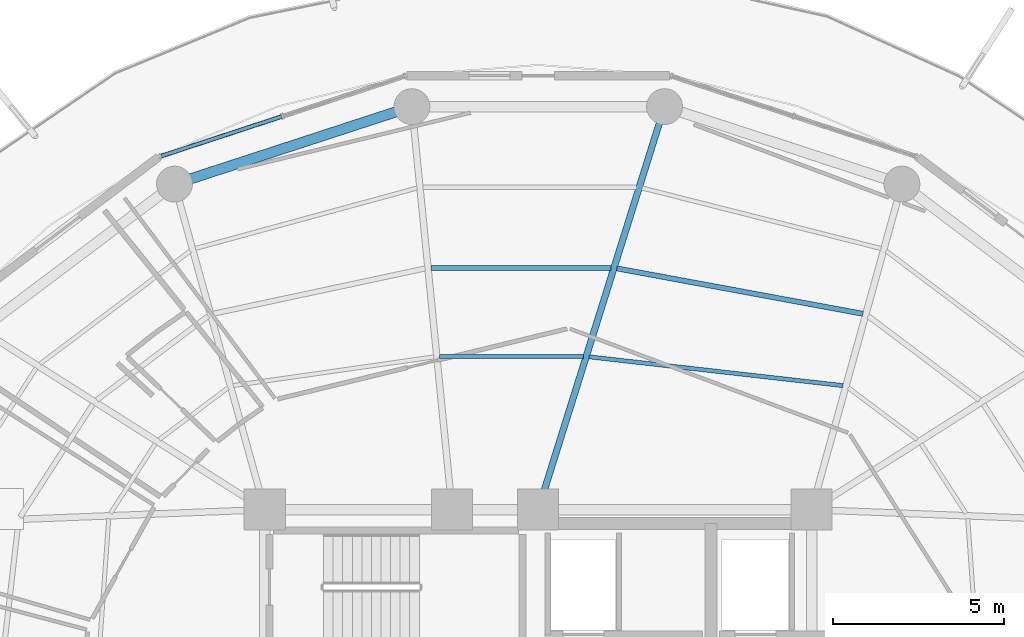
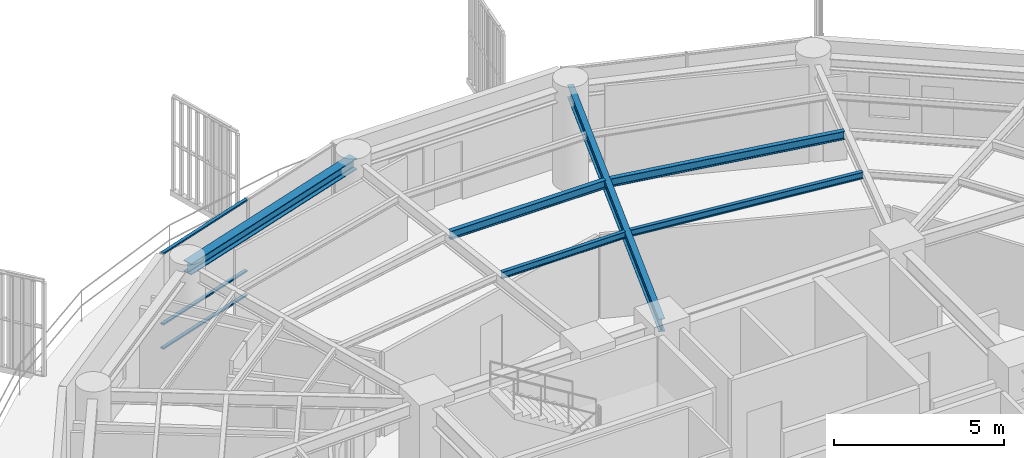
# One storey, part 18 of 30: 6 beams, 3 members, 1 element without a shape of its own.
"""IFC4 building model written with IfcOpenShell, lengths in metres."""

from ifc_helpers import new_model, si_unit, direction, frame, origin, origin_2d, place, context, subcontext, project, spatial, hollow_rectangle, i_section, extrude, material, layer, layer_set, material_profile, profile_set, type_object, element, aggregate, save


model = new_model("IFC4")

# Units and contexts
model_context = context("Model", 3, precision=1e-05, world=origin(), true_north=direction((0.0, 1.0)))
body_context = subcontext(model_context, "Body", "Model", "MODEL_VIEW")
ifc_project = project(units=[si_unit("LENGTHUNIT", "METRE"), si_unit("AREAUNIT", "SQUARE_METRE"), si_unit("VOLUMEUNIT", "CUBIC_METRE"), si_unit("PLANEANGLEUNIT", "RADIAN"), si_unit("MASSUNIT", "GRAM", prefix="KILO")], contexts=[model_context])

# Site, building, storey
site_placement = place(None, origin())
site = spatial("IfcSite", under=ifc_project, at=site_placement, CompositionType="ELEMENT")
building_placement = place(site_placement, origin())
building = spatial("IfcBuilding", under=site, at=building_placement, Name="Kelanora Arch Commons", CompositionType="ELEMENT")
storey_placement = place(building_placement, frame((0.0, 0.0, 208.199951171875)))
storey = spatial("IfcBuildingStorey", under=building, at=storey_placement, Name="L53", CompositionType="ELEMENT", Elevation=208.199951171875)

# Beams
ifc_material_1 = material(Name="Steel S355", Category="steel")
ifc_material_profile_1 = material_profile(ifc_material_1, i_section(OverallWidth=0.14990234375, OverallDepth=0.300048828125, WebThickness=0.007080078125, FlangeThickness=0.0107421875, FilletRadius=0.014892578125, at=origin_2d()), Name="IPE300")
ifc_profile_set_1 = profile_set([ifc_material_profile_1], Name="Steel S355")
beam_type_1 = type_object("IfcBeamType", Name="BM-JST-01", PredefinedType="JOIST", material=ifc_profile_set_1)
beam_1_placement = place(storey_placement, frame((83.50048828125, 70.729736328125, 3.340087890625), z_axis=(-0.983389964671, 0.181505309519, 0.0), x_axis=(-0.181505309519, -0.983389964671, 0.0)))
element("IfcBeam", 1, at=beam_1_placement, inside=storey, type_object=beam_type_1, Name="Secondary Chord Joist BJB-06 L53", PredefinedType="JOIST", context=body_context, shape_type="SweptSolid", body=[
    extrude(i_section(OverallWidth=0.14990234375, OverallDepth=0.300048828125, WebThickness=0.007080078125, FlangeThickness=0.0107421875, FilletRadius=0.014892578125, at=origin_2d()), origin(), (0.0, 0.0, 1.0), 7.3212890625),
])
beam_2_placement = place(storey_placement, frame((76.132080078125, 72.07421875, 3.340087890625), z_axis=(-1.0, 0.0, 0.0), x_axis=(0.0, -1.0, 0.0)))
element("IfcBeam", 2, at=beam_2_placement, inside=storey, type_object=beam_type_1, Name="Secondary Chord Joist BJB-08 L53", PredefinedType="JOIST", context=body_context, shape_type="SweptSolid", body=[
    extrude(i_section(OverallWidth=0.14990234375, OverallDepth=0.300048828125, WebThickness=0.007080078125, FlangeThickness=0.0107421875, FilletRadius=0.014892578125, at=origin_2d()), origin(), (0.0, 0.0, 1.0), 5.272216796875),
])
ifc_material_profile_2 = material_profile(ifc_material_1, i_section(OverallWidth=0.1201171875, OverallDepth=0.239990234375, WebThickness=0.006103515625, FlangeThickness=0.009765625, FilletRadius=0.014892578125, at=origin_2d()), Name="IPE240")
ifc_profile_set_2 = profile_set([ifc_material_profile_2], Name="Steel S355")
beam_type_2 = type_object("IfcBeamType", Name="BM-JST-02", PredefinedType="JOIST", material=ifc_profile_set_2)
beam_3_placement = place(storey_placement, frame((82.918701171875, 68.628662109375, 3.3701171875), z_axis=(-0.993639672263, 0.11260640171, 0.0), x_axis=(-0.11260640171, -0.993639672263, 0.0)))
element("IfcBeam", 3, at=beam_3_placement, inside=storey, type_object=beam_type_2, Name="Secondary Chord Joist BJA-06 L53", PredefinedType="JOIST", context=body_context, shape_type="SweptSolid", body=[
    extrude(i_section(OverallWidth=0.1201171875, OverallDepth=0.239990234375, WebThickness=0.006103515625, FlangeThickness=0.009765625, FilletRadius=0.014892578125, at=origin_2d()), origin(), (0.0, 0.0, 1.0), 7.477783203125),
])
beam_4_placement = place(storey_placement, frame((75.319091796875, 69.480224609375, 3.3701171875), z_axis=(-1.0, 0.0, 0.0), x_axis=(0.0, -1.0, 0.0)))
element("IfcBeam", 4, at=beam_4_placement, inside=storey, type_object=beam_type_2, Name="Secondary Chord Joist BJA-08 L53", PredefinedType="JOIST", context=body_context, shape_type="SweptSolid", body=[
    extrude(i_section(OverallWidth=0.1201171875, OverallDepth=0.239990234375, WebThickness=0.006103515625, FlangeThickness=0.009765625, FilletRadius=0.014892578125, at=origin_2d()), origin(), (0.0, 0.0, 1.0), 4.20068359375),
])
ifc_material_profile_3 = material_profile(ifc_material_1, i_section(OverallWidth=0.18994140625, OverallDepth=0.449951171875, WebThickness=0.009521484375, FlangeThickness=0.0146484375, FilletRadius=0.02099609375, at=origin_2d()), Name="IPE450")
ifc_profile_set_3 = profile_set([ifc_material_profile_3], Name="Steel S355")
beam_type_3 = type_object("IfcBeamType", Name="BM-RAD-Z4", PredefinedType="BEAM", material=ifc_profile_set_3)
beam_5_placement = place(storey_placement, frame((74.0, 65.0, 3.26513671875), z_axis=(0.299080457492, 0.954227897279, 0.0), x_axis=(-0.954227897279, 0.299080457492, 0.0)))
element("IfcBeam", 5, at=beam_5_placement, inside=storey, type_object=beam_type_3, Name="Radial Floor Girder BR-08 L53", PredefinedType="BEAM", context=body_context, shape_type="SweptSolid", body=[
    extrude(i_section(OverallWidth=0.18994140625, OverallDepth=0.449951171875, WebThickness=0.009521484375, FlangeThickness=0.0146484375, FilletRadius=0.02099609375, at=origin_2d()), origin(), (0.0, 0.0, 1.0), 12.35546875),
])
ifc_material_profile_4 = material_profile(ifc_material_1, i_section(OverallWidth=0.300048828125, OverallDepth=0.39990234375, WebThickness=0.013427734375, FlangeThickness=0.02392578125, FilletRadius=0.027099609375, at=origin_2d()), Name="HEB400")
ifc_profile_set_4 = profile_set([ifc_material_profile_4], Name="Steel S355")
beam_type_4 = type_object("IfcBeamType", Name="BM-SPN-Z4", PredefinedType="SPANDREL", material=ifc_profile_set_4)
beam_6_placement = place(storey_placement, frame((70.3046875, 76.7900390625, 3.2900390625), z_axis=(-0.950656361143, -0.310245842872, 0.0), x_axis=(0.310245842872, -0.950656361143, 0.0)))
element("IfcBeam", 6, at=beam_6_placement, inside=storey, type_object=beam_type_4, Name="Perimeter Spandrel Beam BS-10 L53", PredefinedType="SPANDREL", context=body_context, shape_type="SweptSolid", body=[
    extrude(i_section(OverallWidth=0.300048828125, OverallDepth=0.39990234375, WebThickness=0.013427734375, FlangeThickness=0.02392578125, FilletRadius=0.027099609375, at=origin_2d()), origin(), (0.0, 0.0, 1.0), 7.304931640625),
])

# Curtain wall, members
ifc_material_2 = material(Name="Terracotta ceramic-fritted low-E glass and aluminium", Category="masonry")
ifc_layer = layer(ifc_material_2, 0.175048828125)
ifc_layer_set = layer_set([ifc_layer], Name="Terracotta ceramic-fritted low-E glass and aluminium")
curtain_wall_type = type_object("IfcCurtainWallType", Name="CW-SYS-02", PredefinedType="NOTDEFINED", material=ifc_layer_set)
curtain_wall_placement = place(storey_placement, origin())
curtain_wall = element("IfcCurtainWall", 7, at=curtain_wall_placement, inside=storey, type_object=curtain_wall_type, Name="Unitised Curtain Wall L53-B05", PredefinedType="NOTDEFINED")
ifc_material_3 = material(Name="Powder-coated aluminium terracotta", Category="masonry")
ifc_material_profile_5 = material_profile(ifc_material_3, hollow_rectangle(XDim=0.1201171875, YDim=0.06005859375, WallThickness=0.0048828125, InnerFilletRadius=0.0048828125, OuterFilletRadius=0.010009765625, at=origin_2d()), Name="CWT120x60")
ifc_profile_set_5 = profile_set([ifc_material_profile_5], Name="Powder-coated aluminium terracotta")
member_type = type_object("IfcMemberType", Name="CWT-STD", PredefinedType="USERDEFINED", material=ifc_profile_set_5)
member_1_placement = place(storey_placement, frame((66.493896484375, 76.4990234375, 0.030029296875), z_axis=(-0.950226025222, -0.311561392011, 0.0), x_axis=(0.311561392011, -0.950226025222, 0.0)))
member_1 = element("IfcMember", 8, at=member_1_placement, type_object=member_type, Name="CW-02 transom 2.1", ObjectType="TRANSOM", PredefinedType="USERDEFINED", context=body_context, shape_type="SweptSolid", body=[
    extrude(hollow_rectangle(XDim=0.1201171875, YDim=0.06005859375, WallThickness=0.0048828125, InnerFilletRadius=0.0048828125, OuterFilletRadius=0.010009765625, at=origin_2d()), origin(), (0.0, 0.0, 1.0), 3.707275390625),
])
member_2_placement = place(storey_placement, frame((66.493896484375, 76.4990234375, 0.900146484375), z_axis=(-0.950226025222, -0.311561392011, 0.0), x_axis=(0.311561392011, -0.950226025222, 0.0)))
member_2 = element("IfcMember", 9, at=member_2_placement, type_object=member_type, Name="CW-02 transom 2.2", ObjectType="TRANSOM", PredefinedType="USERDEFINED", context=body_context, shape_type="SweptSolid", body=[
    extrude(hollow_rectangle(XDim=0.1201171875, YDim=0.06005859375, WallThickness=0.0048828125, InnerFilletRadius=0.0048828125, OuterFilletRadius=0.010009765625, at=origin_2d()), origin(), (0.0, 0.0, 1.0), 3.707275390625),
])
member_3_placement = place(storey_placement, frame((66.493896484375, 76.4990234375, 3.445068359375), z_axis=(-0.950226025222, -0.311561392011, 0.0), x_axis=(0.311561392011, -0.950226025222, 0.0)))
member_3 = element("IfcMember", 10, at=member_3_placement, type_object=member_type, Name="CW-02 transom 2.3", ObjectType="TRANSOM", PredefinedType="USERDEFINED", context=body_context, shape_type="SweptSolid", body=[
    extrude(hollow_rectangle(XDim=0.1201171875, YDim=0.06005859375, WallThickness=0.0048828125, InnerFilletRadius=0.0048828125, OuterFilletRadius=0.010009765625, at=origin_2d()), origin(), (0.0, 0.0, 1.0), 3.707275390625),
])
aggregate(curtain_wall, [member_1, member_2, member_3])

save(model, "model.ifc")
